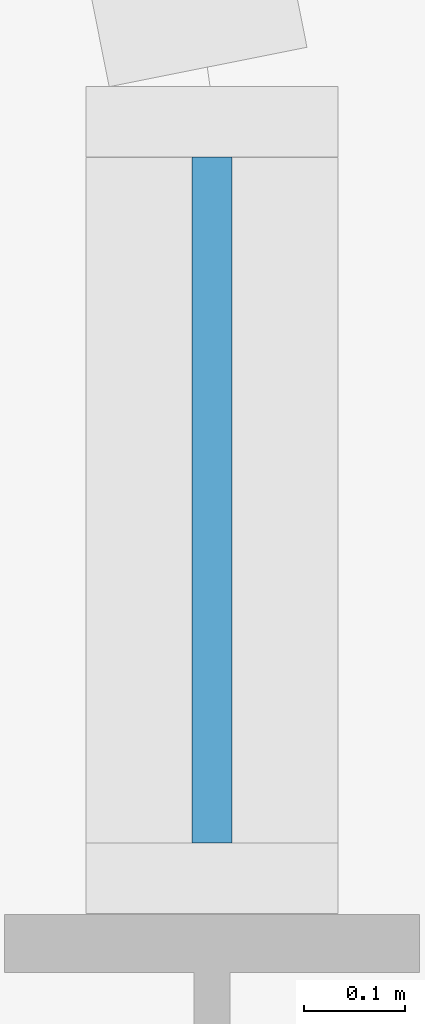
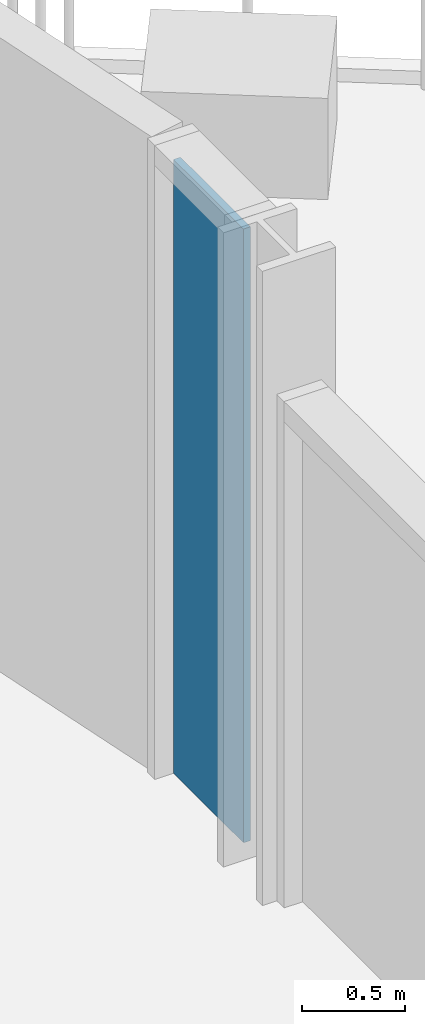
# One storey, part 10 of 33: 1 plate, 1 element without a shape of its own.
"""IFC4 building model written with IfcOpenShell, lengths in metres."""

from ifc_helpers import new_model, si_unit, direction, frame, origin, origin_2d, place, context, subcontext, project, spatial, rectangle, extrude, material, layer, layer_set, type_object, element, aggregate, save


model = new_model("IFC4")

# Units and contexts
model_context = context("Model", 3, precision=1e-05, world=origin(), true_north=direction((0.0, 1.0)))
body_context = subcontext(model_context, "Body", "Model", "MODEL_VIEW")
ifc_project = project(units=[si_unit("LENGTHUNIT", "METRE"), si_unit("AREAUNIT", "SQUARE_METRE"), si_unit("VOLUMEUNIT", "CUBIC_METRE"), si_unit("PLANEANGLEUNIT", "RADIAN"), si_unit("MASSUNIT", "GRAM", prefix="KILO")], contexts=[model_context])

# Site, building, storey
site_placement = place(None, origin())
site = spatial("IfcSite", under=ifc_project, at=site_placement, CompositionType="ELEMENT")
building_placement = place(site_placement, origin())
building = spatial("IfcBuilding", under=site, at=building_placement, Name="Mahtab Terrace Research Tower", CompositionType="ELEMENT")
storey_placement = place(building_placement, frame((0.0, 0.0, 122.0)))
storey = spatial("IfcBuildingStorey", under=building, at=storey_placement, Name="L28", CompositionType="ELEMENT", Elevation=122.0)

# Curtain wall, plate
ifc_material_1 = material(Name="Sky lounge full-height curtain wall")
curtain_wall_type = type_object("IfcCurtainWallType", Name="Sky lounge full-height curtain wall", PredefinedType="NOTDEFINED", material=ifc_material_1)
curtain_wall_placement = place(storey_placement, origin())
curtain_wall = element("IfcCurtainWall", 1, at=curtain_wall_placement, inside=storey, type_object=curtain_wall_type, Name="EN.L28.18.39", PredefinedType="NOTDEFINED")
ifc_material_2 = material(Name="Dark glazing", Category="glass")
ifc_layer = layer(ifc_material_2, 0.0400390625)
ifc_layer_set = layer_set([ifc_layer], Name="Sky lounge full-height curtain wall glazing panel")
plate_type = type_object("IfcPlateType", Name="Sky lounge full-height curtain wall glazing panel", PredefinedType="CURTAIN_PANEL", material=ifc_layer_set)
plate_placement = place(storey_placement, frame((48.0, 22.590087890625, 0.0), z_axis=(0.0, 0.0, 1.0), x_axis=(0.0, 1.0, 0.0)))
plate = element("IfcPlate", 2, at=plate_placement, type_object=plate_type, Name="CWS-4 panel 1", PredefinedType="CURTAIN_PANEL", context=body_context, shape_type="SweptSolid", body=[
    extrude(rectangle(XDim=0.679931640625, YDim=0.0400390625, at=origin_2d()), origin(), (0.0, 0.0, 1.0), 3.639892578125),
])
aggregate(curtain_wall, [plate])

save(model, "model.ifc")
